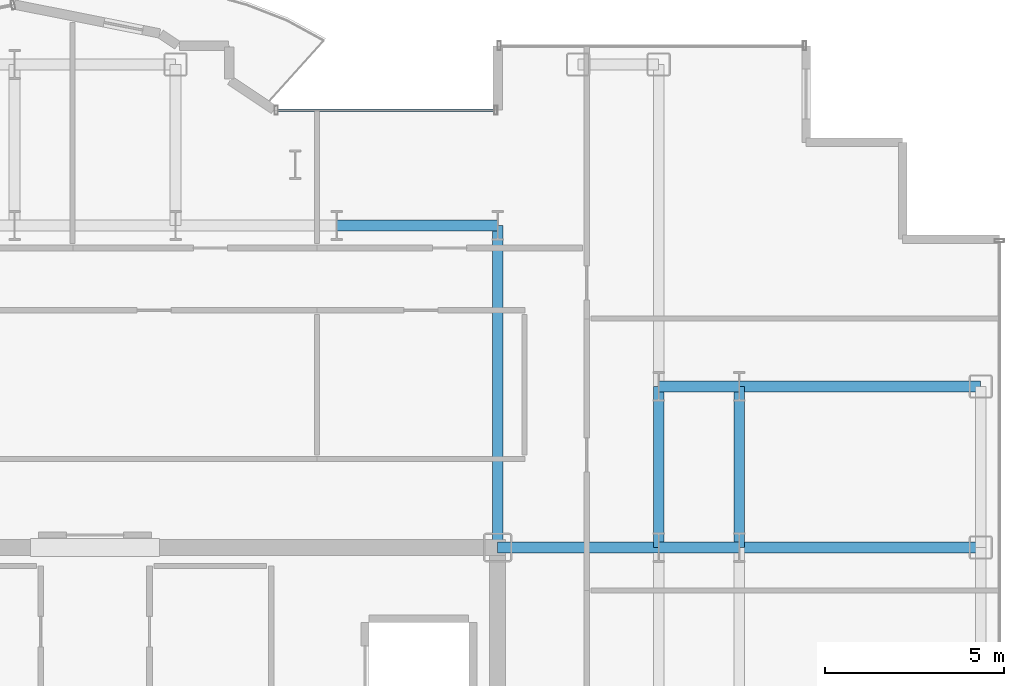
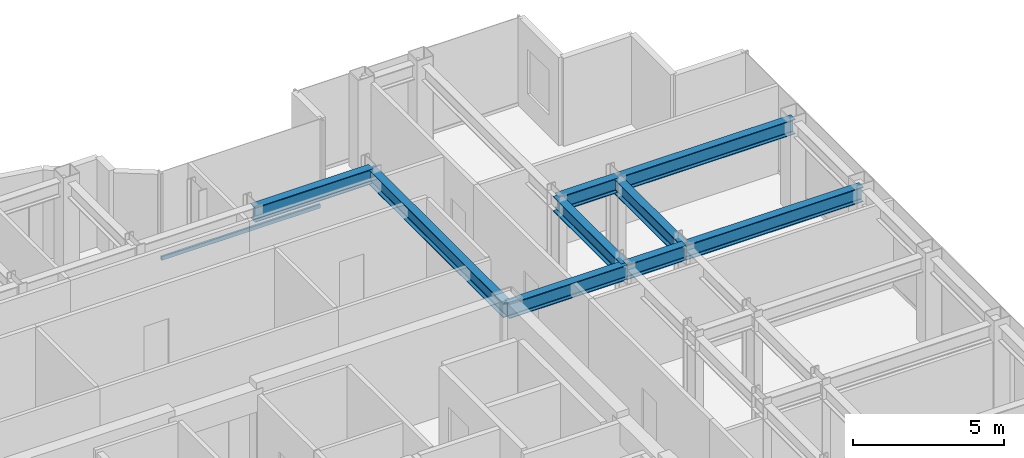
# One storey, part 11 of 21: 9 beams, 1 member, 1 element without a shape of its own.
"""IFC4 building model written with IfcOpenShell, lengths in metres."""

from ifc_helpers import new_model, si_unit, direction, frame, origin, origin_2d, place, context, subcontext, project, spatial, hollow_rectangle, i_section, extrude, source, transform, mapped, material, layer, layer_set, material_profile, profile_set, type_object, element, aggregate, save


model = new_model("IFC4")

# Units and contexts
model_context = context("Model", 3, precision=1e-05, world=origin(), true_north=direction((0.0, 1.0)))
body_context = subcontext(model_context, "Body", "Model", "MODEL_VIEW")
ifc_project = project(units=[si_unit("LENGTHUNIT", "METRE"), si_unit("AREAUNIT", "SQUARE_METRE"), si_unit("VOLUMEUNIT", "CUBIC_METRE"), si_unit("PLANEANGLEUNIT", "RADIAN"), si_unit("MASSUNIT", "GRAM", prefix="KILO")], contexts=[model_context])

# Site, building, storey
site_placement = place(None, origin())
site = spatial("IfcSite", under=ifc_project, at=site_placement, CompositionType="ELEMENT")
building_placement = place(site_placement, origin())
building = spatial("IfcBuilding", under=site, at=building_placement, Name="Nefas-Gora Pilgrimage Tower", CompositionType="ELEMENT")
storey_placement = place(building_placement, frame((0.0, 0.0, 233.199951171875)))
storey = spatial("IfcBuildingStorey", under=building, at=storey_placement, Name="L58", CompositionType="ELEMENT", Elevation=233.199951171875)

# Beams
ifc_material_1 = material(Name="Steel S355", Category="steel")
ifc_material_profile_1 = material_profile(ifc_material_1, i_section(OverallWidth=0.300048828125, OverallDepth=0.60009765625, WebThickness=0.015380859375, FlangeThickness=0.030029296875, FilletRadius=0.027099609375, at=origin_2d()), Name="HEB 600")
ifc_profile_set_1 = profile_set([ifc_material_profile_1], Name="Steel S355")
beam_type = type_object("IfcBeamType", Name="BM-GIR-HEB600", PredefinedType="BEAM", material=ifc_profile_set_1)
shared_shape_1 = source(origin(), body_context, "Body", "SweptSolid", [
    extrude(i_section(OverallWidth=0.300048828125, OverallDepth=0.60009765625, WebThickness=0.015380859375, FlangeThickness=0.030029296875, FilletRadius=0.027099609375, at=origin_2d()), origin(), (0.0, 0.0, 1.0), 9.0),
])
beam_placement = place(storey_placement, frame((11.25, 9.0, 3.25), z_axis=(0.0, 1.0, 0.0), x_axis=(-1.0, 0.0, 0.0)))
element("IfcBeam", 1, at=beam_placement, inside=storey, type_object=beam_type, Name="L58 G-04 beam", PredefinedType="BEAM", context=body_context, shape_type="MappedRepresentation", body=[
    mapped(shared_shape_1, transform((0.0, 0.0, 0.0), x_axis=(1.0, 0.0, 0.0), y_axis=(0.0, 1.0, 0.0), z_axis=(0.0, 0.0, 1.0), scale=1.0)),
])
shared_shape_2 = source(origin(), body_context, "Body", "SweptSolid", [
    extrude(i_section(OverallWidth=0.300048828125, OverallDepth=0.60009765625, WebThickness=0.015380859375, FlangeThickness=0.030029296875, FilletRadius=0.027099609375, at=origin_2d()), origin(), (0.0, 0.0, 1.0), 4.5),
])
for number, where, z_axis, x_axis, name in (
    (2, (6.75, 18.0, 3.25), (1.0, 0.0, 0.0), (0.0, 1.0, 0.0), "L58 G-04 beam"),
    (3, (11.25, 9.0, 3.25), (1.0, 0.0, 0.0), (0.0, 1.0, 0.0), "L58 G-04 beam"),
    (4, (15.75, 9.0, 3.25), (0.0, 1.0, 0.0), (-1.0, 0.0, 0.0), "L58 G-04 beam"),
    (5, (18.0, 9.0, 3.25), (0.0, 1.0, 0.0), (-1.0, 0.0, 0.0), "L58 G-04 beam"),
):
    element("IfcBeam", number, at=place(storey_placement, frame(where, z_axis=z_axis, x_axis=x_axis)), inside=storey, type_object=beam_type, Name=name, PredefinedType="BEAM", context=body_context, shape_type="MappedRepresentation", body=[
        mapped(shared_shape_2, transform((0.0, 0.0, 0.0), x_axis=(1.0, 0.0, 0.0), y_axis=(0.0, 1.0, 0.0), z_axis=(0.0, 0.0, 1.0), scale=1.0)),
    ])
shared_shape_3 = source(origin(), body_context, "Body", "SweptSolid", [
    extrude(i_section(OverallWidth=0.300048828125, OverallDepth=0.60009765625, WebThickness=0.015380859375, FlangeThickness=0.030029296875, FilletRadius=0.027099609375, at=origin_2d()), origin(), (0.0, 0.0, 1.0), 6.75),
])
for number, where, z_axis, x_axis, name in (
    (6, (18.0, 9.0, 3.25), (1.0, 0.0, 0.0), (0.0, 1.0, 0.0), "L58 G-04 beam"),
    (7, (18.0, 13.5, 3.25), (1.0, 0.0, 0.0), (0.0, 1.0, 0.0), "L58 G-04 beam"),
):
    element("IfcBeam", number, at=place(storey_placement, frame(where, z_axis=z_axis, x_axis=x_axis)), inside=storey, type_object=beam_type, Name=name, PredefinedType="BEAM", context=body_context, shape_type="MappedRepresentation", body=[
        mapped(shared_shape_3, transform((0.0, 0.0, 0.0), x_axis=(1.0, 0.0, 0.0), y_axis=(0.0, 1.0, 0.0), z_axis=(0.0, 0.0, 1.0), scale=1.0)),
    ])
shared_shape_4 = source(origin(), body_context, "Body", "SweptSolid", [
    extrude(i_section(OverallWidth=0.300048828125, OverallDepth=0.60009765625, WebThickness=0.015380859375, FlangeThickness=0.030029296875, FilletRadius=0.027099609375, at=origin_2d()), origin(), (0.0, 0.0, 1.0), 2.25),
])
for number, where, z_axis, x_axis, name in (
    (8, (15.75, 9.0, 3.25), (1.0, 0.0, 0.0), (0.0, 1.0, 0.0), "L58 G-04 beam"),
    (9, (15.75, 13.5, 3.25), (1.0, 0.0, 0.0), (0.0, 1.0, 0.0), "L58 G-04 beam"),
):
    element("IfcBeam", number, at=place(storey_placement, frame(where, z_axis=z_axis, x_axis=x_axis)), inside=storey, type_object=beam_type, Name=name, PredefinedType="BEAM", context=body_context, shape_type="MappedRepresentation", body=[
        mapped(shared_shape_4, transform((0.0, 0.0, 0.0), x_axis=(1.0, 0.0, 0.0), y_axis=(0.0, 1.0, 0.0), z_axis=(0.0, 0.0, 1.0), scale=1.0)),
    ])

# Curtain wall, member
ifc_material_2 = material(Name="Dark ceramic-fritted solar-control aluminium-glass curtain wall", Category="aluminium")
ifc_layer = layer(ifc_material_2, 0.219970703125)
ifc_layer_set = layer_set([ifc_layer], Name="Dark ceramic-fritted solar-control aluminium-glass curtain wall")
curtain_wall_type = type_object("IfcCurtainWallType", Name="CW-SYS-5", PredefinedType="NOTDEFINED", material=ifc_layer_set)
curtain_wall_placement = place(storey_placement, origin())
curtain_wall = element("IfcCurtainWall", 10, at=curtain_wall_placement, inside=storey, type_object=curtain_wall_type, Name="L58 Unitised Curtain Wall CW5", PredefinedType="NOTDEFINED")
ifc_material_3 = material(Name="Anodised architectural aluminium", Category="aluminium")
ifc_material_profile_2 = material_profile(ifc_material_3, hollow_rectangle(XDim=0.080078125, YDim=0.159912109375, WallThickness=0.00439453125, InnerFilletRadius=0.00439453125, OuterFilletRadius=0.009033203125, at=origin_2d()), Name="ALU TRANSOM 80x160")
ifc_profile_set_2 = profile_set([ifc_material_profile_2], Name="Anodised architectural aluminium")
member_type = type_object("IfcMemberType", Name="CWM-TRN-5", PredefinedType="USERDEFINED", material=ifc_profile_set_2)
shared_shape_5 = source(origin(), body_context, "Body", "SweptSolid", [
    extrude(hollow_rectangle(XDim=0.080078125, YDim=0.159912109375, WallThickness=0.00439453125, InnerFilletRadius=0.00439453125, OuterFilletRadius=0.009033203125, at=origin_2d()), origin(), (0.0, 0.0, 1.0), 6.052001953125),
])
member_placement = place(storey_placement, frame((11.159912109375, 21.219970703125, 0.050048828125), z_axis=(-1.0, 0.0, 0.0), x_axis=(0.0, -1.0, 0.0)))
member = element("IfcMember", 11, at=member_placement, type_object=member_type, Name="CW5 Spandrel Transom", ObjectType="TRANSOM", PredefinedType="USERDEFINED", context=body_context, shape_type="MappedRepresentation", body=[
    mapped(shared_shape_5, transform((0.0, 0.0, 0.0), x_axis=(1.0, 0.0, 0.0), y_axis=(0.0, 1.0, 0.0), z_axis=(0.0, 0.0, 1.0), scale=1.0)),
])
aggregate(curtain_wall, [member])

save(model, "model.ifc")
